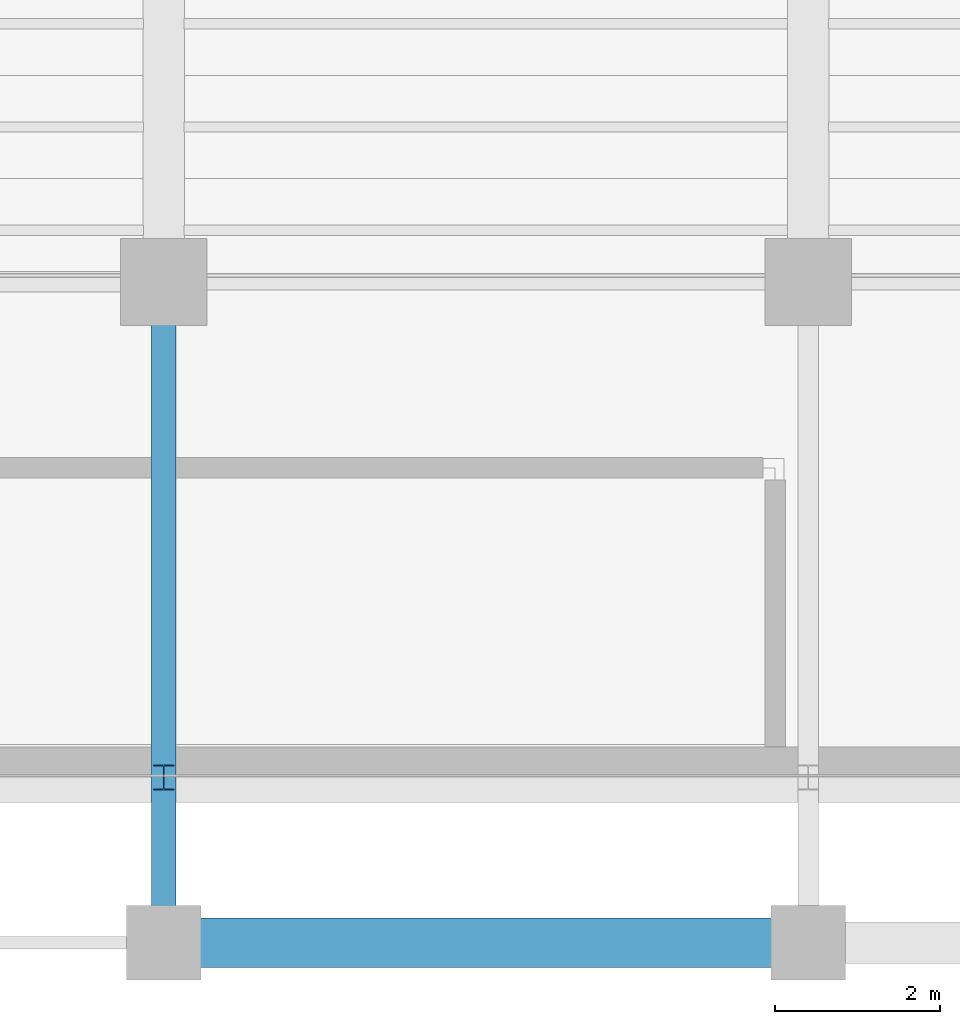
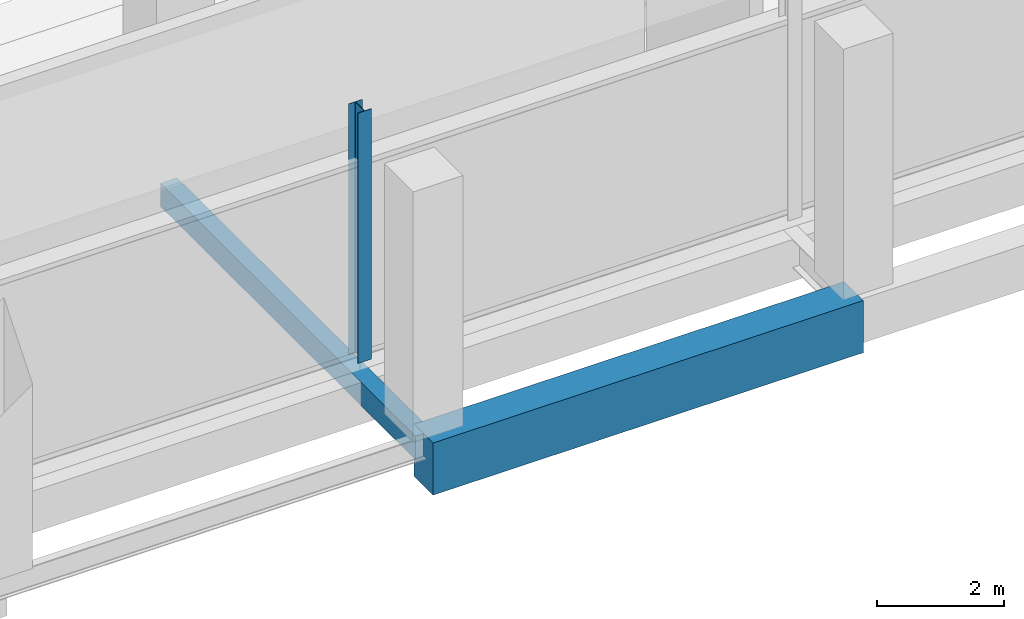
# One storey, part 35 of 102: 2 beams, 1 member.
"""IFC4 building model written with IfcOpenShell, lengths in metres."""

from ifc_helpers import new_model, si_unit, derived_unit, direction, frame, origin, origin_2d, place, context, subcontext, project, spatial, rectangle, i_section, extrude, material, material_profile, profile_set, type_object, element, save


model = new_model("IFC4")

# Units and contexts
model_context = context("Model", 3, precision=1e-05, world=origin(), true_north=direction((0.0, 1.0)))
body_context = subcontext(model_context, "Body", "Model", "MODEL_VIEW")
ifc_project = project(units=[si_unit("LENGTHUNIT", "METRE"), si_unit("AREAUNIT", "SQUARE_METRE"), si_unit("VOLUMEUNIT", "CUBIC_METRE"), si_unit("PLANEANGLEUNIT", "RADIAN"), si_unit("MASSUNIT", "GRAM", prefix="KILO"), derived_unit("THERMALTRANSMITTANCEUNIT", [(si_unit("POWERUNIT", "WATT"), 1), (si_unit("LENGTHUNIT", "METRE"), -2), (si_unit("THERMODYNAMICTEMPERATUREUNIT", "KELVIN"), -1)])], contexts=[model_context])

# Site, building, storey
site_placement = place(None, origin())
site = spatial("IfcSite", under=ifc_project, at=site_placement, CompositionType="ELEMENT")
building_placement = place(site_placement, origin())
building = spatial("IfcBuilding", under=site, at=building_placement, Name="Nallur Shell Playhouse", CompositionType="ELEMENT")
storey_placement = place(building_placement, frame((0.0, 0.0, 15.0)))
storey = spatial("IfcBuildingStorey", under=building, at=storey_placement, Name="L04", CompositionType="ELEMENT", Elevation=15.0)

# Beams
ifc_material_1 = material(Name="Concrete M40", Category="concrete")
ifc_material_profile_1 = material_profile(ifc_material_1, rectangle(XDim=0.60009765625, YDim=1.0, at=origin_2d()), Name="RC 600x1000")
ifc_profile_set_1 = profile_set([ifc_material_profile_1], Name="Concrete M40")
beam_type_1 = type_object("IfcBeamType", Name="BM-RC-600x1000", PredefinedType="BEAM", material=ifc_profile_set_1)
beam_1_placement = place(storey_placement, frame((87.39990234375, 8.0, -0.760009765625), z_axis=(1.0, 0.0, 0.0), x_axis=(0.0, 1.0, 0.0)))
element("IfcBeam", 1, at=beam_1_placement, inside=storey, type_object=beam_type_1, Name="L04 girder X-A-748", PredefinedType="BEAM", context=body_context, shape_type="SweptSolid", body=[
    extrude(rectangle(XDim=0.60009765625, YDim=1.0, at=origin_2d()), origin(), (0.0, 0.0, 1.0), 7.800048828125),
])
ifc_material_2 = material(Name="Concrete M35", Category="concrete")
ifc_material_profile_2 = material_profile(ifc_material_2, rectangle(XDim=0.300048828125, YDim=0.449951171875, at=origin_2d()), Name="RC 300x450")
ifc_profile_set_2 = profile_set([ifc_material_profile_2], Name="Concrete M35")
beam_type_2 = type_object("IfcBeamType", Name="BM-SPN-300x450", PredefinedType="SPANDREL", material=ifc_profile_set_2)
beam_2_placement = place(storey_placement, frame((87.39990234375, 8.0, -0.485107421875), z_axis=(0.0, 1.0, 0.0), x_axis=(-1.0, 0.0, 0.0)))
element("IfcBeam", 2, at=beam_2_placement, inside=storey, type_object=beam_type_2, Name="L04 girder Y-11-848", PredefinedType="SPANDREL", context=body_context, shape_type="SweptSolid", body=[
    extrude(rectangle(XDim=0.300048828125, YDim=0.449951171875, at=origin_2d()), origin(), (0.0, 0.0, 1.0), 8.0),
])

# Member
ifc_material_3 = material(Name="Steel E350", Category="steel")
ifc_material_profile_3 = material_profile(ifc_material_3, i_section(OverallWidth=0.25, OverallDepth=0.300048828125, WebThickness=0.009521484375, FlangeThickness=0.010498046875, FilletRadius=0.010986328125, at=origin_2d()), Name="ISHB 300")
ifc_profile_set_3 = profile_set([ifc_material_profile_3], Name="Steel E350")
member_type = type_object("IfcMemberType", Name="MB-FASCIA-POST", PredefinedType="POST", material=ifc_profile_set_3)
member_placement = place(storey_placement, frame((87.39990234375, 10.0, 0.0), z_axis=(0.0, 0.0, 1.0), x_axis=(1.0, 0.0, 0.0)))
element("IfcMember", 3, at=member_placement, inside=storey, type_object=member_type, Name="Cantilever truss fascia post POST-GB-L04-04", PredefinedType="POST", context=body_context, shape_type="SweptSolid", body=[
    extrude(i_section(OverallWidth=0.25, OverallDepth=0.300048828125, WebThickness=0.009521484375, FlangeThickness=0.010498046875, FilletRadius=0.010986328125, at=origin_2d()), origin(), (0.0, 0.0, 1.0), 4.800048828125),
])

save(model, "model.ifc")
